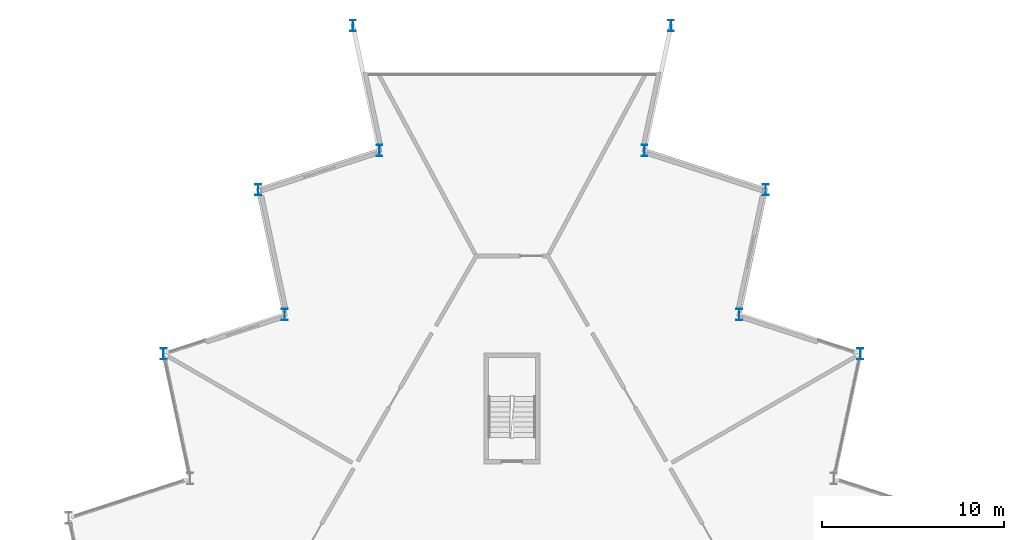
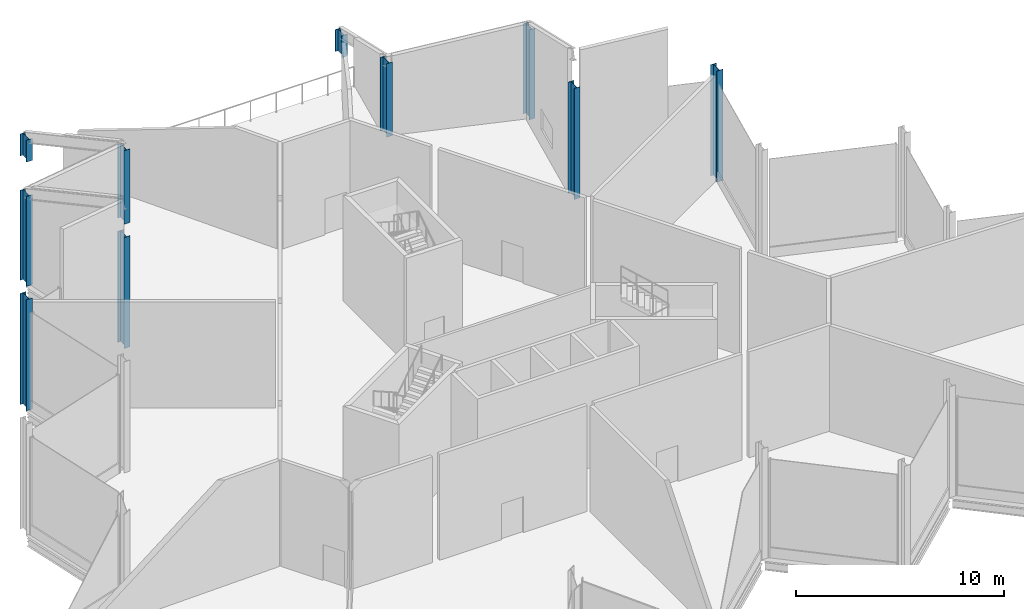
# One storey, part 3 of 12: 10 columns.
"""IFC4 building model written with IfcOpenShell, lengths in metres."""

import ifcopenshell
import ifcopenshell.guid

model = None  # the IFC model being written
_history = None  # IfcOwnerHistory: only IFC2X3 demands one
_inside = {}  # id of a spatial element -> (the spatial element, [elements in it])
_under = {}  # id of a project, library or spatial element -> (it, [spatial elements below it])
_declared = {}  # id of a project -> (the project, [libraries it declares])
_typed = {}  # id of a type object -> (the type object, [elements of that type])
_made_of = {}  # id of a material, layer set ... -> (it, [elements and type objects made of it])


def new_model(schema):
    """Start an empty IFC model of exactly this schema.

    Asked for "IFC4X3", IfcOpenShell would pick the latest addendum, in which some entities
    have other attributes; the version numbers below select the first issue.
    IFC2X3 requires an IfcOwnerHistory on every rooted entity: one is made here for all.
    """
    global model, _history
    if schema == "IFC4X3":
        model = ifcopenshell.file(schema_version=(4, 3, 0, 0))
    else:
        model = ifcopenshell.file(schema=schema)
    _inside.clear()
    _under.clear()
    _declared.clear()
    _typed.clear()
    _made_of.clear()
    _history = None
    if model.schema == "IFC2X3":
        org = make("IfcOrganization", Name="unknown")
        user = make(
            "IfcPersonAndOrganization",
            ThePerson=make("IfcPerson", FamilyName="unknown"),
            TheOrganization=org,
        )
        app = make(
            "IfcApplication",
            ApplicationDeveloper=org,
            Version="unknown",
            ApplicationFullName="unknown",
            ApplicationIdentifier="unknown",
        )
        _history = make(
            "IfcOwnerHistory",
            OwningUser=user,
            OwningApplication=app,
            ChangeAction="ADDED",
            CreationDate=0,
        )
    return model


def make(cls, **values):
    """One entity of the class cls with the attributes given. An attribute that is None is left unset."""
    return model.create_entity(
        cls, **{name: value for name, value in values.items() if value is not None}
    )


def rooted(cls, **values):
    """An entity with a GlobalId (a new one), such as an element, a storey or a relation."""
    return make(cls, GlobalId=ifcopenshell.guid.new(), OwnerHistory=_history, **values)


def si_unit(unit_type, name, prefix=None):
    """IfcSIUnit, for example si_unit("LENGTHUNIT", "METRE", prefix="MILLI")."""
    return make("IfcSIUnit", UnitType=unit_type, Prefix=prefix, Name=name)


def assignment(units):
    """IfcUnitAssignment: the units of a project."""
    return None if units is None else make("IfcUnitAssignment", Units=units)


def point(xyz):
    """IfcCartesianPoint."""
    return None if xyz is None else make("IfcCartesianPoint", Coordinates=xyz)


def direction(xyz):
    """IfcDirection."""
    return None if xyz is None else make("IfcDirection", DirectionRatios=xyz)


def frame(location, z_axis=None, x_axis=None):
    """IfcAxis2Placement3D, a coordinate frame: its origin and axes. An axis left out is left unset."""
    return make(
        "IfcAxis2Placement3D",
        Location=point(location),
        Axis=direction(z_axis),
        RefDirection=direction(x_axis),
    )


def frame_2d(location, x_axis=None):
    """IfcAxis2Placement2D, a coordinate frame in the plane: its origin and x axis."""
    return make(
        "IfcAxis2Placement2D", Location=point(location), RefDirection=direction(x_axis)
    )


def origin():
    """The frame at (0, 0, 0) with its axes left unset."""
    return frame((0.0, 0.0, 0.0))


def origin_2d():
    """The frame at (0, 0) in the plane with its x axis left unset."""
    return frame_2d((0.0, 0.0))


def place(relative_to, where):
    """IfcLocalPlacement: puts the frame where relative to a parent placement (None: the world)."""
    return make(
        "IfcLocalPlacement", PlacementRelTo=relative_to, RelativePlacement=where
    )


def context(
    kind, dimensions, precision=None, world=None, true_north=None, identifier=None
):
    """IfcGeometricRepresentationContext, for example the 3D "Model" context."""
    return make(
        "IfcGeometricRepresentationContext",
        ContextIdentifier=identifier,
        ContextType=kind,
        CoordinateSpaceDimension=dimensions,
        Precision=precision,
        WorldCoordinateSystem=world,
        TrueNorth=true_north,
    )


def subcontext(parent, identifier, kind, view, scale=None):
    """IfcGeometricRepresentationSubContext, for example "Body" below "Model"."""
    return make(
        "IfcGeometricRepresentationSubContext",
        ContextIdentifier=identifier,
        ContextType=kind,
        ParentContext=parent,
        TargetScale=scale,
        TargetView=view,
    )


def project(units=None, contexts=None):
    """IfcProject with its units and contexts."""
    return rooted(
        "IfcProject",
        Name="project",
        RepresentationContexts=contexts,
        UnitsInContext=assignment(units),
    )


def spatial(cls, under=None, at=None, **own):
    """A site, building, storey or space (cls), placed at a placement, below another one or the project."""
    s = rooted(cls, ObjectPlacement=at, **own)
    if under is not None:
        _under.setdefault(under.id(), (under, []))[1].append(s)
    return s


def profile(cls, at=None, kind="AREA", **sizes):
    """A parametric profile (cls). Its sizes go by their IFC names, for example OverallWidth=200.0."""
    return make(cls, ProfileType=kind, Position=at, **sizes)


def i_section(**sizes):
    """IfcIShapeProfileDef."""
    return profile("IfcIShapeProfileDef", **sizes)


def extrude(swept, where, along, depth):
    """IfcExtrudedAreaSolid: the profile swept, set in the frame where, extruded along a direction by depth."""
    return make(
        "IfcExtrudedAreaSolid",
        SweptArea=swept,
        Position=where,
        ExtrudedDirection=direction(along),
        Depth=depth,
    )


def shape(context_of_items, identifier, shape_type, items):
    """IfcShapeRepresentation: the items that make up one representation, for example the "Body"."""
    return make(
        "IfcShapeRepresentation",
        ContextOfItems=context_of_items,
        RepresentationIdentifier=identifier,
        RepresentationType=shape_type,
        Items=items,
    )


def material(Name=None, Category=None):
    """IfcMaterial."""
    return make("IfcMaterial", Name=Name, Category=Category)


def material_profile(
    of_material, cross_section, Name=None, Category=None, Priority=None
):
    """IfcMaterialProfile: a cross section and its material."""
    return make(
        "IfcMaterialProfile",
        Name=Name,
        Material=of_material,
        Profile=cross_section,
        Priority=Priority,
        Category=Category,
    )


def profile_set(profiles, Name=None, composite=None):
    """IfcMaterialProfileSet."""
    return make(
        "IfcMaterialProfileSet",
        Name=Name,
        MaterialProfiles=profiles,
        CompositeProfile=composite,
    )


def made_of(thing, what):
    """Note that an element or type object is made of a material, layer set ...; save() writes the relation."""
    if what is not None:
        _made_of.setdefault(what.id(), (what, []))[1].append(thing)
    return thing


def type_object(cls, material=None, **own):
    """A type object (cls), such as IfcWallType, which elements share."""
    return made_of(rooted(cls, **own), material)


def element(
    cls,
    number,
    at=None,
    inside=None,
    cuts=None,
    type_object=None,
    material=None,
    context=None,
    identifier="Body",
    shape_type=None,
    held_by="IfcProductDefinitionShape",
    body=None,
    shapes=None,
    **own,
):
    """One element of the class cls, such as IfcWall. Its Tag is "e" and its number.

    at: its placement. inside: the storey or other place that contains it. cuts: it is an
    opening in that element (IfcRelVoidsElement). A single representation is given by context,
    identifier, shape_type and body (its items); several are given by shapes. held_by: the class
    of the entity that holds the representations. save() writes the other relations.
    """
    e = rooted(cls, Tag="e%d" % number, ObjectPlacement=at, **own)
    if body is not None:
        shapes = [shape(context, identifier, shape_type, body)]
    if shapes is not None:
        e.Representation = make(held_by, Representations=shapes)
    if inside is not None:
        _inside.setdefault(inside.id(), (inside, []))[1].append(e)
    if cuts is not None:
        rooted(
            "IfcRelVoidsElement", RelatingBuildingElement=cuts, RelatedOpeningElement=e
        )
    if type_object is not None:
        _typed.setdefault(type_object.id(), (type_object, []))[1].append(e)
    return made_of(e, material)


def aggregate(whole, parts):
    """IfcRelAggregates: a whole, such as a stair, and the parts it consists of."""
    return rooted("IfcRelAggregates", RelatingObject=whole, RelatedObjects=parts)


def save(model, path):
    """Write the relations noted so far, then the file.

    IfcRelAggregates (storeys below a building ...), IfcRelContainedInSpatialStructure (elements
    in a storey), IfcRelDefinesByType, IfcRelAssociatesMaterial and IfcRelDeclares: one each for
    every whole, place, type object, material and project.
    """
    for whole, parts in _under.values():
        aggregate(whole, parts)
    for where, things in _inside.values():
        rooted(
            "IfcRelContainedInSpatialStructure",
            RelatedElements=things,
            RelatingStructure=where,
        )
    for kind, things in _typed.values():
        rooted("IfcRelDefinesByType", RelatedObjects=things, RelatingType=kind)
    for what, things in _made_of.values():
        rooted("IfcRelAssociatesMaterial", RelatedObjects=things, RelatingMaterial=what)
    for by, libraries in _declared.values():
        rooted("IfcRelDeclares", RelatingContext=by, RelatedDefinitions=libraries)
    model.write(path)


model = new_model("IFC4")

# Units and contexts
model_context = context("Model", 3, precision=1e-05, world=origin(), true_north=direction((0.0, 1.0)))
body_context = subcontext(model_context, "Body", "Model", "MODEL_VIEW")
ifc_project = project(units=[si_unit("LENGTHUNIT", "METRE"), si_unit("AREAUNIT", "SQUARE_METRE"), si_unit("VOLUMEUNIT", "CUBIC_METRE"), si_unit("PLANEANGLEUNIT", "RADIAN"), si_unit("MASSUNIT", "GRAM", prefix="KILO")], contexts=[model_context])

# Site, building, storey
site_placement = place(None, origin())
site = spatial("IfcSite", under=ifc_project, at=site_placement, CompositionType="ELEMENT")
building_placement = place(site_placement, origin())
building = spatial("IfcBuilding", under=site, at=building_placement, Name="Cormorant Prow Tower", CompositionType="ELEMENT")
storey_placement = place(building_placement, frame((0.0, 0.0, 434.699951171875)))
storey = spatial("IfcBuildingStorey", under=building, at=storey_placement, Name="L97", CompositionType="ELEMENT", Elevation=434.699951171875)

# Columns
ifc_material = material(Name="Structural steel ASTM A992 Gr 50", Category="steel")
ifc_material_profile = material_profile(ifc_material, i_section(OverallWidth=0.326416015625, OverallDepth=0.621826171875, WebThickness=0.015380859375, FlangeThickness=0.0244140625, at=origin_2d()), Name="W24x131")
ifc_profile_set = profile_set([ifc_material_profile], Name="Structural steel ASTM A992 Gr 50")
column_type = type_object("IfcColumnType", Name="Crown frame column W24x131", PredefinedType="COLUMN", material=ifc_profile_set)
for number, where, z_axis, x_axis, name in (
    (1, (19.128662109375, 11.0439453125, 0.0), (0.0, 0.0, 1.0), (1.0, 0.0, 0.0), "Crown frame column at ENE05 L97"),
    (2, (12.473876953125, 13.206298828125, 0.0), (0.0, 0.0, 1.0), (1.0, 0.0, 0.0), "Crown frame column at ENE06 L97"),
):
    element("IfcColumn", number, at=place(storey_placement, frame(where, z_axis=z_axis, x_axis=x_axis)), inside=storey, type_object=column_type, Name=name, PredefinedType="COLUMN", context=body_context, shape_type="SweptSolid", body=[
        extrude(i_section(OverallWidth=0.326416015625, OverallDepth=0.621826171875, WebThickness=0.015380859375, FlangeThickness=0.0244140625, at=origin_2d()), origin(), (0.0, 0.0, 1.0), 6.5),
    ])
column_1_placement = place(storey_placement, frame((13.9287109375, 20.050537109375, 0.0), z_axis=(0.0, 0.0, 1.0), x_axis=(1.0, 0.0, 0.0)))
element("IfcColumn", 3, at=column_1_placement, inside=storey, type_object=column_type, Name="Crown frame column at ENE07 L97", PredefinedType="COLUMN", context=body_context, shape_type="SweptSolid", body=[
    extrude(i_section(OverallWidth=0.326416015625, OverallDepth=0.621826171875, WebThickness=0.015380859375, FlangeThickness=0.0244140625, at=origin_2d()), origin(), (0.0, 0.0, 1.0), 5.265380859375),
])
column_2_placement = place(storey_placement, frame((7.273681640625, 22.212890625, 0.0), z_axis=(0.0, 0.0, 1.0), x_axis=(1.0, 0.0, 0.0)))
element("IfcColumn", 4, at=column_2_placement, inside=storey, type_object=column_type, Name="Crown frame column at ENE08 L97", PredefinedType="COLUMN", context=body_context, shape_type="SweptSolid", body=[
    extrude(i_section(OverallWidth=0.326416015625, OverallDepth=0.621826171875, WebThickness=0.015380859375, FlangeThickness=0.0244140625, at=origin_2d()), origin(), (0.0, 0.0, 1.0), 4.30810546875),
])
for number, where, z_axis, x_axis, name in (
    (5, (8.728515625, 29.05712890625, 0.0), (0.0, 0.0, 1.0), (1.0, 0.0, 0.0), "Crown frame column at ENE09 L97"),
    (6, (-8.728515625, 29.05712890625, 0.0), (0.0, 0.0, 1.0), (1.0, 0.0, 0.0), "Crown frame column at WNW01 L97"),
):
    element("IfcColumn", number, at=place(storey_placement, frame(where, z_axis=z_axis, x_axis=x_axis)), inside=storey, type_object=column_type, Name=name, PredefinedType="COLUMN", context=body_context, shape_type="SweptSolid", body=[
        extrude(i_section(OverallWidth=0.326416015625, OverallDepth=0.621826171875, WebThickness=0.015380859375, FlangeThickness=0.0244140625, at=origin_2d()), origin(), (0.0, 0.0, 1.0), 1.27783203125),
    ])
column_3_placement = place(storey_placement, frame((-7.273681640625, 22.212890625, 0.0), z_axis=(0.0, 0.0, 1.0), x_axis=(1.0, 0.0, 0.0)))
element("IfcColumn", 7, at=column_3_placement, inside=storey, type_object=column_type, Name="Crown frame column at WNW02 L97", PredefinedType="COLUMN", context=body_context, shape_type="SweptSolid", body=[
    extrude(i_section(OverallWidth=0.326416015625, OverallDepth=0.621826171875, WebThickness=0.015380859375, FlangeThickness=0.0244140625, at=origin_2d()), origin(), (0.0, 0.0, 1.0), 4.30810546875),
])
column_4_placement = place(storey_placement, frame((-13.9287109375, 20.050537109375, 0.0), z_axis=(0.0, 0.0, 1.0), x_axis=(1.0, 0.0, 0.0)))
element("IfcColumn", 8, at=column_4_placement, inside=storey, type_object=column_type, Name="Crown frame column at WNW03 L97", PredefinedType="COLUMN", context=body_context, shape_type="SweptSolid", body=[
    extrude(i_section(OverallWidth=0.326416015625, OverallDepth=0.621826171875, WebThickness=0.015380859375, FlangeThickness=0.0244140625, at=origin_2d()), origin(), (0.0, 0.0, 1.0), 5.265380859375),
])
for number, where, z_axis, x_axis, name in (
    (9, (-12.473876953125, 13.206298828125, 0.0), (0.0, 0.0, 1.0), (1.0, 0.0, 0.0), "Crown frame column at WNW04 L97"),
    (10, (-19.128662109375, 11.0439453125, 0.0), (0.0, 0.0, 1.0), (1.0, 0.0, 0.0), "Crown frame column at WNW05 L97"),
):
    element("IfcColumn", number, at=place(storey_placement, frame(where, z_axis=z_axis, x_axis=x_axis)), inside=storey, type_object=column_type, Name=name, PredefinedType="COLUMN", context=body_context, shape_type="SweptSolid", body=[
        extrude(i_section(OverallWidth=0.326416015625, OverallDepth=0.621826171875, WebThickness=0.015380859375, FlangeThickness=0.0244140625, at=origin_2d()), origin(), (0.0, 0.0, 1.0), 6.5),
    ])

save(model, "model.ifc")
